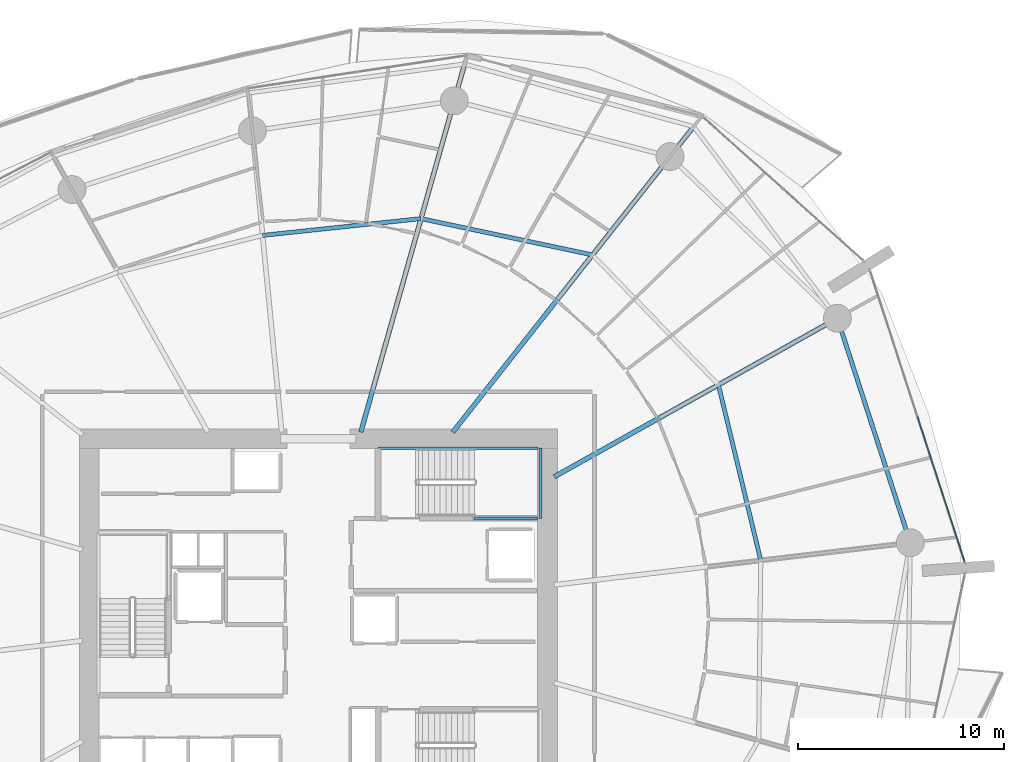
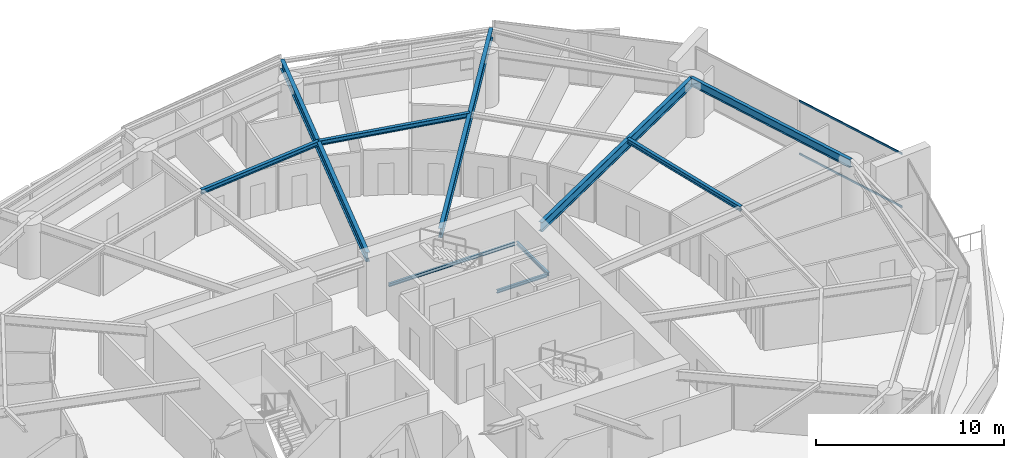
# One storey, part 14 of 31: 10 beams, 2 members, 1 element without a shape of its own.
"""IFC4 building model written with IfcOpenShell, lengths in metres."""

from ifc_helpers import new_model, si_unit, direction, frame, origin, origin_2d, place, context, subcontext, project, spatial, rectangle, i_section, extrude, material, layer, layer_set, material_profile, profile_set, type_object, element, aggregate, save


model = new_model("IFC4")

# Units and contexts
model_context = context("Model", 3, precision=1e-05, world=origin(), true_north=direction((0.0, 1.0)))
body_context = subcontext(model_context, "Body", "Model", "MODEL_VIEW")
ifc_project = project(units=[si_unit("LENGTHUNIT", "METRE"), si_unit("AREAUNIT", "SQUARE_METRE"), si_unit("VOLUMEUNIT", "CUBIC_METRE"), si_unit("PLANEANGLEUNIT", "RADIAN"), si_unit("MASSUNIT", "GRAM", prefix="KILO")], contexts=[model_context])

# Site, building, storey
site_placement = place(None, origin())
site = spatial("IfcSite", under=ifc_project, at=site_placement, CompositionType="ELEMENT")
building_placement = place(site_placement, origin())
building = spatial("IfcBuilding", under=site, at=building_placement, Name="Kazma Halo Residences", CompositionType="ELEMENT")
storey_placement = place(building_placement, frame((0.0, 0.0, 48.89990234375)))
storey = spatial("IfcBuildingStorey", under=building, at=storey_placement, Name="L11", CompositionType="ELEMENT", Elevation=48.89990234375)

# Beams
ifc_material_1 = material(Name="Steel S355", Category="steel")
ifc_material_profile_1 = material_profile(ifc_material_1, i_section(OverallWidth=0.22802734375, OverallDepth=0.60791015625, WebThickness=0.01123046875, FlangeThickness=0.017333984375, FilletRadius=0.01806640625, at=origin_2d()), Name="W610x113")
ifc_profile_set_1 = profile_set([ifc_material_profile_1], Name="Steel S355")
beam_type_1 = type_object("IfcBeamType", Name="BM-RAD-W610", PredefinedType="BEAM", material=ifc_profile_set_1)
beam_1_placement = place(storey_placement, frame((59.85009765625, 48.63623046875, 3.196044921875), z_axis=(0.872489859828, 0.48863221803, 0.0), x_axis=(-0.48863221803, 0.872489859828, 0.0)))
element("IfcBeam", 1, at=beam_1_placement, inside=storey, type_object=beam_type_1, Name="L11 radial floor beam 01", PredefinedType="BEAM", context=body_context, shape_type="SweptSolid", body=[
    extrude(i_section(OverallWidth=0.22802734375, OverallDepth=0.60791015625, WebThickness=0.01123046875, FlangeThickness=0.017333984375, FilletRadius=0.01806640625, at=origin_2d()), origin(), (0.0, 0.0, 1.0), 15.71923828125),
])
beam_2_placement = place(storey_placement, frame((54.9375, 50.800048828125, 3.196044921875), z_axis=(0.619092154321, 0.785318345932, 0.0), x_axis=(-0.785318345932, 0.619092154321, 0.0)))
element("IfcBeam", 2, at=beam_2_placement, inside=storey, type_object=beam_type_1, Name="L11 radial floor beam 02", PredefinedType="BEAM", context=body_context, shape_type="SweptSolid", body=[
    extrude(i_section(OverallWidth=0.22802734375, OverallDepth=0.60791015625, WebThickness=0.01123046875, FlangeThickness=0.017333984375, FilletRadius=0.01806640625, at=origin_2d()), origin(), (0.0, 0.0, 1.0), 18.84375),
])
beam_3_placement = place(storey_placement, frame((50.48193359375, 50.800048828125, 3.196044921875), z_axis=(0.271442010129, 0.962454796412, 0.0), x_axis=(-0.962454796412, 0.271442010129, 0.0)))
element("IfcBeam", 3, at=beam_3_placement, inside=storey, type_object=beam_type_1, Name="L11 radial floor beam 03", PredefinedType="BEAM", context=body_context, shape_type="SweptSolid", body=[
    extrude(i_section(OverallWidth=0.22802734375, OverallDepth=0.60791015625, WebThickness=0.01123046875, FlangeThickness=0.017333984375, FilletRadius=0.01806640625, at=origin_2d()), origin(), (0.0, 0.0, 1.0), 18.525390625),
])
ifc_material_profile_2 = material_profile(ifc_material_1, i_section(OverallWidth=0.202880859375, OverallDepth=0.302978515625, WebThickness=0.007568359375, FlangeThickness=0.01318359375, FilletRadius=0.013916015625, at=origin_2d()), Name="W310x60")
ifc_profile_set_2 = profile_set([ifc_material_profile_2], Name="Steel S355")
beam_type_2 = type_object("IfcBeamType", Name="BM-SEC-W310A", PredefinedType="JOIST", material=ifc_profile_set_2)
beam_4_placement = place(storey_placement, frame((61.703857421875, 59.383056640625, 3.3486328125), z_axis=(-0.97831665719, 0.207114746615, 0.0), x_axis=(-0.207114746615, -0.97831665719, 0.0)))
element("IfcBeam", 4, at=beam_4_placement, inside=storey, type_object=beam_type_2, Name="L11 circumferential floor joist 02", PredefinedType="JOIST", context=body_context, shape_type="SweptSolid", body=[
    extrude(i_section(OverallWidth=0.202880859375, OverallDepth=0.302978515625, WebThickness=0.007568359375, FlangeThickness=0.01318359375, FilletRadius=0.013916015625, at=origin_2d()), origin(), (0.0, 0.0, 1.0), 8.489501953125),
])
beam_5_placement = place(storey_placement, frame((53.3984375, 61.141357421875, 3.3486328125), z_axis=(-0.994456114777, -0.10515244069, 0.0), x_axis=(0.10515244069, -0.994456114777, 0.0)))
element("IfcBeam", 5, at=beam_5_placement, inside=storey, type_object=beam_type_2, Name="L11 circumferential floor joist 03", PredefinedType="JOIST", context=body_context, shape_type="SweptSolid", body=[
    extrude(i_section(OverallWidth=0.202880859375, OverallDepth=0.302978515625, WebThickness=0.007568359375, FlangeThickness=0.01318359375, FilletRadius=0.013916015625, at=origin_2d()), origin(), (0.0, 0.0, 1.0), 7.717529296875),
])
beam_6_placement = place(storey_placement, frame((69.853759765625, 44.586669921875, 3.3486328125), z_axis=(-0.234233116199, 0.972180460242, 0.0), x_axis=(-0.972180460242, -0.234233116199, 0.0)))
element("IfcBeam", 6, at=beam_6_placement, inside=storey, type_object=beam_type_2, Name="L11 circumferential floor joist 16", PredefinedType="JOIST", context=body_context, shape_type="SweptSolid", body=[
    extrude(i_section(OverallWidth=0.202880859375, OverallDepth=0.302978515625, WebThickness=0.007568359375, FlangeThickness=0.01318359375, FilletRadius=0.013916015625, at=origin_2d()), origin(), (0.0, 0.0, 1.0), 8.748046875),
])
ifc_material_profile_3 = material_profile(ifc_material_1, i_section(OverallWidth=0.208984375, OverallDepth=0.532958984375, WebThickness=0.01025390625, FlangeThickness=0.015625, FilletRadius=0.01611328125, at=origin_2d()), Name="W530x92")
ifc_profile_set_3 = profile_set([ifc_material_profile_3], Name="Steel S355")
beam_type_3 = type_object("IfcBeamType", Name="BM-SPN-W530", PredefinedType="BEAM", material=ifc_profile_set_3)
beam_7_placement = place(storey_placement, frame((77.097900390625, 45.444091796875, 3.233642578125), z_axis=(-0.309024264898, 0.951054153928, 0.0), x_axis=(-0.951054153928, -0.309024264898, 0.0)))
element("IfcBeam", 7, at=beam_7_placement, inside=storey, type_object=beam_type_3, Name="L11 perimeter ring beam 16", PredefinedType="BEAM", context=body_context, shape_type="SweptSolid", body=[
    extrude(i_section(OverallWidth=0.208984375, OverallDepth=0.532958984375, WebThickness=0.01025390625, FlangeThickness=0.015625, FilletRadius=0.01611328125, at=origin_2d()), origin(), (0.0, 0.0, 1.0), 11.4326171875),
])
ifc_material_profile_4 = material_profile(ifc_material_1, i_section(OverallWidth=0.133056640625, OverallDepth=0.20703125, WebThickness=0.005859375, FlangeThickness=0.00830078125, FilletRadius=0.010009765625, at=origin_2d()), Name="W200x26.6")
ifc_profile_set_4 = profile_set([ifc_material_profile_4], Name="Steel S355")
beam_type_4 = type_object("IfcBeamType", Name="BM-TRIM-W200", PredefinedType="BEAM", material=ifc_profile_set_4)
beam_8_placement = place(storey_placement, frame((51.31005859375, 50.02001953125, 1.570068359375), z_axis=(1.0, 0.0, 0.0), x_axis=(0.0, 1.0, 0.0)))
element("IfcBeam", 8, at=beam_8_placement, inside=storey, type_object=beam_type_4, Name="L11 ST-02 landing north wall ledger", PredefinedType="BEAM", context=body_context, shape_type="SweptSolid", body=[
    extrude(i_section(OverallWidth=0.133056640625, OverallDepth=0.20703125, WebThickness=0.005859375, FlangeThickness=0.00830078125, FilletRadius=0.010009765625, at=origin_2d()), origin(), (0.0, 0.0, 1.0), 7.760009765625),
])
beam_9_placement = place(storey_placement, frame((56.0, 46.6201171875, 1.570068359375), z_axis=(1.0, 0.0, 0.0), x_axis=(0.0, 1.0, 0.0)))
element("IfcBeam", 9, at=beam_9_placement, inside=storey, type_object=beam_type_4, Name="L11 ST-02 landing south wall ledger", PredefinedType="BEAM", context=body_context, shape_type="SweptSolid", body=[
    extrude(i_section(OverallWidth=0.133056640625, OverallDepth=0.20703125, WebThickness=0.005859375, FlangeThickness=0.00830078125, FilletRadius=0.010009765625, at=origin_2d()), origin(), (0.0, 0.0, 1.0), 3.070068359375),
])
beam_10_placement = place(storey_placement, frame((59.18994140625, 46.6201171875, 1.570068359375), z_axis=(0.0, 1.0, 0.0), x_axis=(-1.0, 0.0, 0.0)))
element("IfcBeam", 10, at=beam_10_placement, inside=storey, type_object=beam_type_4, Name="L11 ST-02 landing end wall ledger", PredefinedType="BEAM", context=body_context, shape_type="SweptSolid", body=[
    extrude(i_section(OverallWidth=0.133056640625, OverallDepth=0.20703125, WebThickness=0.005859375, FlangeThickness=0.00830078125, FilletRadius=0.010009765625, at=origin_2d()), origin(), (0.0, 0.0, 1.0), 3.39990234375),
])

# Curtain wall, members
ifc_material_2 = material(Name="Aluminium AW-6063 T6 and Triple-Silver Low-E Glass", Category="aluminium")
ifc_layer = layer(ifc_material_2, 0.159912109375)
ifc_layer_set = layer_set([ifc_layer], Name="Aluminium AW-6063 T6 and Triple-Silver Low-E Glass")
curtain_wall_type = type_object("IfcCurtainWallType", Name="CW-SYS-2", PredefinedType="NOTDEFINED", material=ifc_layer_set)
curtain_wall_placement = place(storey_placement, origin())
curtain_wall = element("IfcCurtainWall", 11, at=curtain_wall_placement, inside=storey, type_object=curtain_wall_type, Name="L11 unitised curtain wall B16", PredefinedType="NOTDEFINED")
ifc_material_3 = material(Name="Aluminium AW-6063 T6", Category="aluminium")
ifc_material_profile_5 = material_profile(ifc_material_3, rectangle(XDim=0.06005859375, YDim=0.1201171875, at=origin_2d()), Name="CWT-60x120")
ifc_profile_set_5 = profile_set([ifc_material_profile_5], Name="Aluminium AW-6063 T6")
member_type = type_object("IfcMemberType", Name="CW-SYS-2-TRN", PredefinedType="USERDEFINED", material=ifc_profile_set_5)
member_1_placement = place(storey_placement, frame((79.72900390625, 44.52783203125, 0.030029296875), z_axis=(-0.309034393795, 0.951050862705, 0.0), x_axis=(-0.951050862705, -0.309034393795, 0.0)))
member_1 = element("IfcMember", 12, at=member_1_placement, type_object=member_type, Name="CWS-2 transom 1.1", ObjectType="TRANSOM", PredefinedType="USERDEFINED", context=body_context, shape_type="SweptSolid", body=[
    extrude(rectangle(XDim=0.06005859375, YDim=0.1201171875, at=origin_2d()), origin(), (0.0, 0.0, 1.0), 7.370849609375),
])
member_2_placement = place(storey_placement, frame((79.72900390625, 44.52783203125, 3.47021484375), z_axis=(-0.309034393795, 0.951050862705, 0.0), x_axis=(-0.951050862705, -0.309034393795, 0.0)))
member_2 = element("IfcMember", 13, at=member_2_placement, type_object=member_type, Name="CWS-2 transom 1.2", ObjectType="TRANSOM", PredefinedType="USERDEFINED", context=body_context, shape_type="SweptSolid", body=[
    extrude(rectangle(XDim=0.06005859375, YDim=0.1201171875, at=origin_2d()), origin(), (0.0, 0.0, 1.0), 7.370849609375),
])
aggregate(curtain_wall, [member_1, member_2])

save(model, "model.ifc")
